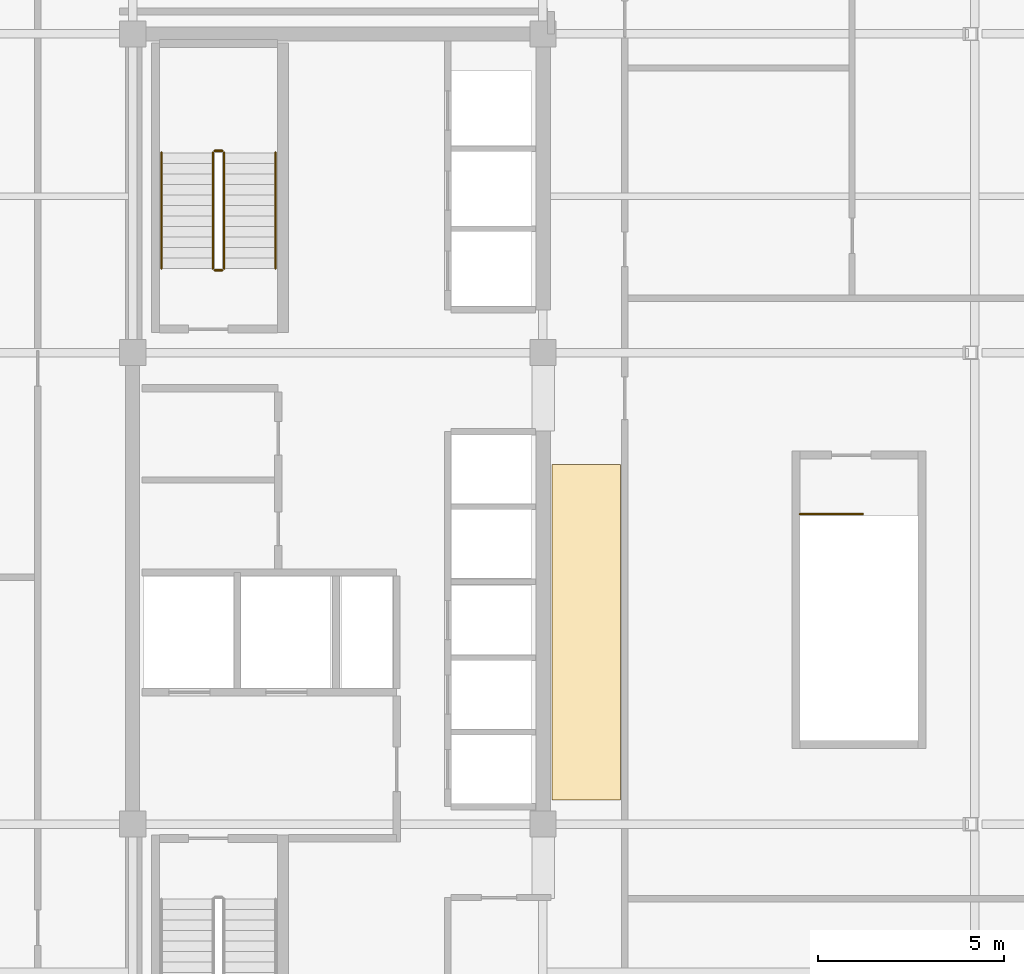
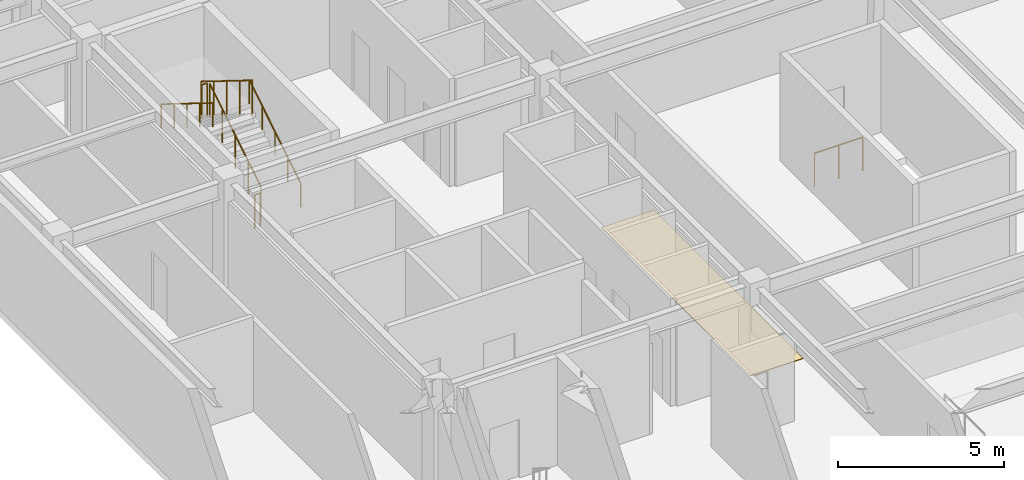
# One storey, part 10 of 11: 7 railings, 1 covering.
"""IFC4 building model written with IfcOpenShell, lengths in metres."""

from ifc_helpers import new_model, si_unit, direction, frame, origin, origin_2d, place, context, subcontext, project, spatial, polyline, circle, outline, extrude, material, layer, layer_set, type_object, element, save


model = new_model("IFC4")

# Units and contexts
model_context = context("Model", 3, precision=1e-05, world=origin(), true_north=direction((0.0, 1.0)))
body_context = subcontext(model_context, "Body", "Model", "MODEL_VIEW")
ifc_project = project(units=[si_unit("LENGTHUNIT", "METRE"), si_unit("AREAUNIT", "SQUARE_METRE"), si_unit("VOLUMEUNIT", "CUBIC_METRE"), si_unit("PLANEANGLEUNIT", "RADIAN"), si_unit("MASSUNIT", "GRAM", prefix="KILO")], contexts=[model_context])

# Site, building, storey
site_placement = place(None, origin())
site = spatial("IfcSite", under=ifc_project, at=site_placement, CompositionType="ELEMENT")
building_placement = place(site_placement, origin())
building = spatial("IfcBuilding", under=site, at=building_placement, Name="Ochreholt Gables", CompositionType="ELEMENT")
storey_placement = place(building_placement, frame((0.0, 0.0, 192.0)))
storey = spatial("IfcBuildingStorey", under=building, at=storey_placement, Name="L50", CompositionType="ELEMENT", Elevation=192.0)

# Covering
ifc_material_1 = material(Name="Polished Terrazzo Floor Finish", Category="concrete")
ifc_layer = layer(ifc_material_1, 0.02490234375, Name="Polished Terrazzo Floor Finish")
ifc_layer_set = layer_set([ifc_layer], Name="Polished Terrazzo Floor Finish")
covering_type = type_object("IfcCoveringType", Name="COV-FLR-TRZ", PredefinedType="FLOORING", material=ifc_layer_set)
covering_placement = place(storey_placement, origin())
element("IfcCovering", 1, at=covering_placement, inside=storey, type_object=covering_type, Name="L50 Floor Finish", PredefinedType="FLOORING", context=body_context, shape_type="SweptSolid", body=[
    extrude(outline(polyline([(35.449951171875, 18.199951171875), (37.280029296875, 18.199951171875), (37.280029296875, 27.199951171875), (35.449951171875, 27.199951171875), (35.449951171875, 18.199951171875)])), origin(), (0.0, 0.0, 1.0), 0.02490234375),
])

# Railings
ifc_material_2 = material(Name="Painted Steel Stair Guardrail", Category="steel")
railing_type_1 = type_object("IfcRailingType", Name="RL-ST-GUARD", PredefinedType="GUARDRAIL", material=ifc_material_2)
railing_1_placement = place(storey_placement, frame((26.64990234375, 32.4599609375, 0.175048828125)))
element("IfcRailing", 2, at=railing_1_placement, inside=storey, type_object=railing_type_1, Name="L50 ST-2 stair guard 1", PredefinedType="GUARDRAIL", context=body_context, shape_type="SweptSolid", body=[
    extrude(circle(Radius=0.02392578125, at=origin_2d()), frame((0.0, 0.0, 1.22607421875), z_axis=(0.0, 0.849684591916, 0.527291280281), x_axis=(-1.0, 0.0, 0.0)), (0.0, 0.0, 1.0), 3.65087890625),
    extrude(circle(Radius=0.02099609375, at=origin_2d()), origin(), (0.0, 0.0, 1.0), 1.201904296875),
    extrude(circle(Radius=0.02099609375, at=origin_2d()), frame((0.0, 0.775390625, 0.481201171875)), (0.0, 0.0, 1.0), 1.201904296875),
    extrude(circle(Radius=0.02099609375, at=origin_2d()), frame((0.0, 1.551025390625, 0.96240234375)), (0.0, 0.0, 1.0), 1.201904296875),
    extrude(circle(Radius=0.02099609375, at=origin_2d()), frame((0.0, 2.32666015625, 1.44384765625)), (0.0, 0.0, 1.0), 1.201904296875),
    extrude(circle(Radius=0.02099609375, at=origin_2d()), frame((0.0, 3.10205078125, 1.925048828125)), (0.0, 0.0, 1.0), 1.201904296875),
])
railing_2_placement = place(storey_placement, frame((26.60009765625, 35.612060546875, 2.10009765625)))
element("IfcRailing", 3, at=railing_2_placement, inside=storey, type_object=railing_type_1, Name="L50 ST-2 stair guard 2", PredefinedType="GUARDRAIL", context=body_context, shape_type="SweptSolid", body=[
    extrude(circle(Radius=0.02392578125, at=origin_2d()), frame((0.0, 0.0, 1.22607421875), z_axis=(-1.0, 0.0, 0.0), x_axis=(0.0, -1.0, 0.0)), (0.0, 0.0, 1.0), 0.2001953125),
    extrude(circle(Radius=0.02099609375, at=origin_2d()), origin(), (0.0, 0.0, 1.0), 1.201904296875),
    extrude(circle(Radius=0.02099609375, at=origin_2d()), frame((-0.2001953125, 0.0, 0.0)), (0.0, 0.0, 1.0), 1.201904296875),
])
railing_3_placement = place(storey_placement, frame((26.35009765625, 35.56201171875, 2.27490234375)))
element("IfcRailing", 4, at=railing_3_placement, inside=storey, type_object=railing_type_1, Name="L50 ST-2 stair guard 3", PredefinedType="GUARDRAIL", context=body_context, shape_type="SweptSolid", body=[
    extrude(circle(Radius=0.02392578125, at=origin_2d()), frame((0.0, 0.0, 1.22607421875), z_axis=(0.0, -0.849684591916, 0.527291280281), x_axis=(1.0, 0.0, 0.0)), (0.0, 0.0, 1.0), 3.65087890625),
    extrude(circle(Radius=0.02099609375, at=origin_2d()), origin(), (0.0, 0.0, 1.0), 1.201904296875),
    extrude(circle(Radius=0.02099609375, at=origin_2d()), frame((0.0, -0.775390625, 0.481201171875)), (0.0, 0.0, 1.0), 1.201904296875),
    extrude(circle(Radius=0.02099609375, at=origin_2d()), frame((0.0, -1.551025390625, 0.96240234375)), (0.0, 0.0, 1.0), 1.201904296875),
    extrude(circle(Radius=0.02099609375, at=origin_2d()), frame((0.0, -2.32666015625, 1.44384765625)), (0.0, 0.0, 1.0), 1.201904296875),
    extrude(circle(Radius=0.02099609375, at=origin_2d()), frame((0.0, -3.10205078125, 1.925048828125)), (0.0, 0.0, 1.0), 1.201904296875),
])
railing_4_placement = place(storey_placement, frame((26.60009765625, 32.409912109375, 0.0)))
element("IfcRailing", 5, at=railing_4_placement, inside=storey, type_object=railing_type_1, Name="L50 ST-2 stair guard 4", PredefinedType="GUARDRAIL", context=body_context, shape_type="SweptSolid", body=[
    extrude(circle(Radius=0.02392578125, at=origin_2d()), frame((0.0, 0.0, 1.22607421875), z_axis=(-1.0, 0.0, 0.0), x_axis=(0.0, -1.0, 0.0)), (0.0, 0.0, 1.0), 0.2001953125),
    extrude(circle(Radius=0.02099609375, at=origin_2d()), origin(), (0.0, 0.0, 1.0), 1.201904296875),
    extrude(circle(Radius=0.02099609375, at=origin_2d()), frame((-0.2001953125, 0.0, 0.0)), (0.0, 0.0, 1.0), 1.201904296875),
])
railing_5_placement = place(storey_placement, frame((42.10009765625, 25.8701171875, 0.0)))
element("IfcRailing", 6, at=railing_5_placement, inside=storey, type_object=railing_type_1, Name="L50 ST-C5 top well guard 1", PredefinedType="GUARDRAIL", context=body_context, shape_type="SweptSolid", body=[
    extrude(circle(Radius=0.02392578125, at=origin_2d()), frame((0.0, 0.0, 1.22607421875), z_axis=(1.0, 0.0, 0.0), x_axis=(0.0, 1.0, 0.0)), (0.0, 0.0, 1.0), 1.679931640625),
    extrude(circle(Radius=0.02099609375, at=origin_2d()), origin(), (0.0, 0.0, 1.0), 1.201904296875),
    extrude(circle(Radius=0.02099609375, at=origin_2d()), frame((0.83984375, 0.0, 0.0)), (0.0, 0.0, 1.0), 1.201904296875),
    extrude(circle(Radius=0.02099609375, at=origin_2d()), frame((1.679931640625, 0.0, 0.0)), (0.0, 0.0, 1.0), 1.201904296875),
])
ifc_material_3 = material(Name="Brushed Stainless Steel Wall Handrail", Category="steel")
railing_type_2 = type_object("IfcRailingType", Name="RL-ST-HAND", PredefinedType="HANDRAIL", material=ifc_material_3)
railing_6_placement = place(storey_placement, frame((28.030029296875, 32.4599609375, 0.175048828125)))
element("IfcRailing", 7, at=railing_6_placement, inside=storey, type_object=railing_type_2, Name="L50 ST-2 stair handrail 1", PredefinedType="HANDRAIL", context=body_context, shape_type="SweptSolid", body=[
    extrude(circle(Radius=0.02392578125, at=origin_2d()), frame((0.0, 0.0, 0.8759765625), z_axis=(0.0, 0.849684591916, 0.527291280281), x_axis=(-1.0, 0.0, 0.0)), (0.0, 0.0, 1.0), 3.65087890625),
    extrude(circle(Radius=0.02099609375, at=origin_2d()), origin(), (0.0, 0.0, 1.0), 0.851806640625),
    extrude(circle(Radius=0.02099609375, at=origin_2d()), frame((0.0, 0.775390625, 0.481201171875)), (0.0, 0.0, 1.0), 0.851806640625),
    extrude(circle(Radius=0.02099609375, at=origin_2d()), frame((0.0, 1.551025390625, 0.96240234375)), (0.0, 0.0, 1.0), 0.851806640625),
    extrude(circle(Radius=0.02099609375, at=origin_2d()), frame((0.0, 2.32666015625, 1.44384765625)), (0.0, 0.0, 1.0), 0.851806640625),
    extrude(circle(Radius=0.02099609375, at=origin_2d()), frame((0.0, 3.10205078125, 1.925048828125)), (0.0, 0.0, 1.0), 0.851806640625),
])
railing_7_placement = place(storey_placement, frame((24.969970703125, 35.56201171875, 2.27490234375)))
element("IfcRailing", 8, at=railing_7_placement, inside=storey, type_object=railing_type_2, Name="L50 ST-2 stair handrail 2", PredefinedType="HANDRAIL", context=body_context, shape_type="SweptSolid", body=[
    extrude(circle(Radius=0.02392578125, at=origin_2d()), frame((0.0, 0.0, 0.8759765625), z_axis=(0.0, -0.849684591916, 0.527291280281), x_axis=(1.0, 0.0, 0.0)), (0.0, 0.0, 1.0), 3.65087890625),
    extrude(circle(Radius=0.02099609375, at=origin_2d()), origin(), (0.0, 0.0, 1.0), 0.851806640625),
    extrude(circle(Radius=0.02099609375, at=origin_2d()), frame((0.0, -0.775390625, 0.481201171875)), (0.0, 0.0, 1.0), 0.851806640625),
    extrude(circle(Radius=0.02099609375, at=origin_2d()), frame((0.0, -1.551025390625, 0.96240234375)), (0.0, 0.0, 1.0), 0.851806640625),
    extrude(circle(Radius=0.02099609375, at=origin_2d()), frame((0.0, -2.32666015625, 1.44384765625)), (0.0, 0.0, 1.0), 0.851806640625),
    extrude(circle(Radius=0.02099609375, at=origin_2d()), frame((0.0, -3.10205078125, 1.925048828125)), (0.0, 0.0, 1.0), 0.851806640625),
])

save(model, "model.ifc")
